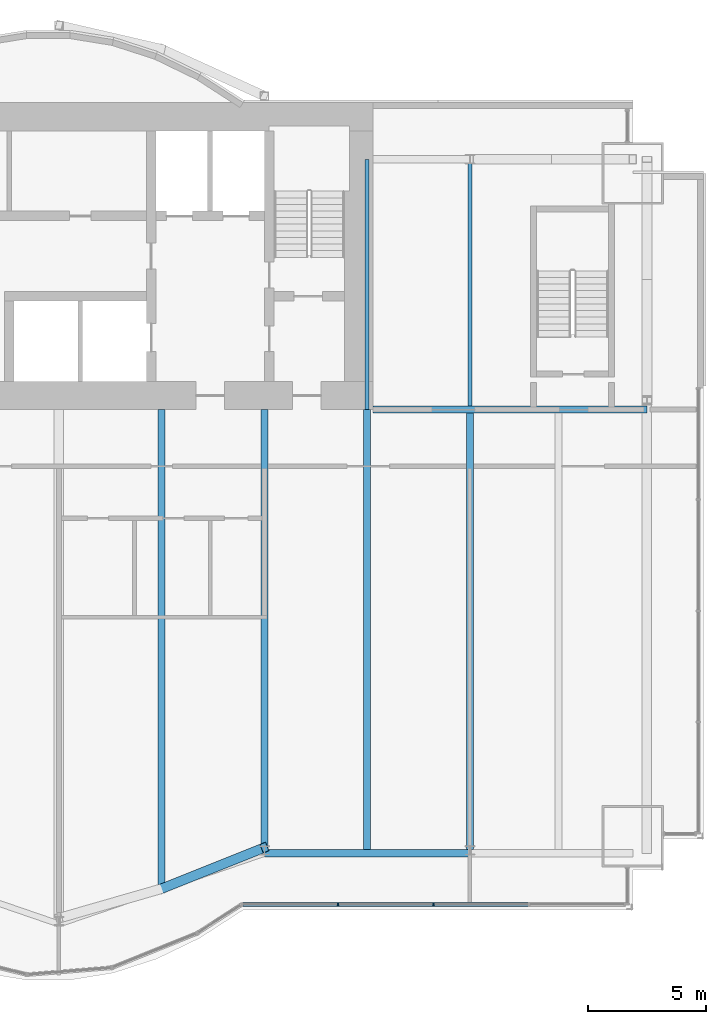
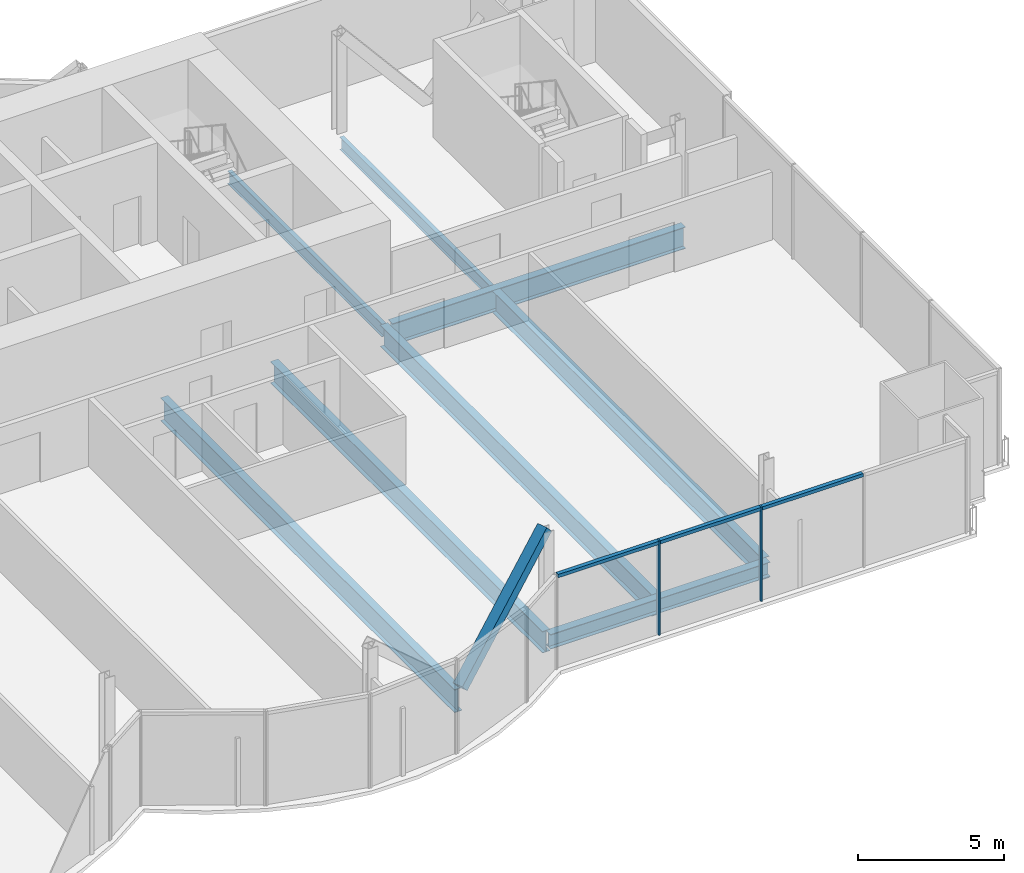
# One storey, part 9 of 21: 8 beams, 6 members, 1 element without a shape of its own.
"""IFC4 building model written with IfcOpenShell, lengths in metres."""

from ifc_helpers import new_model, si_unit, direction, frame, origin, origin_2d, place, context, subcontext, project, spatial, rectangle, hollow_rectangle, i_section, extrude, material, material_profile, profile_set, type_object, element, aggregate, save


model = new_model("IFC4")

# Units and contexts
model_context = context("Model", 3, precision=1e-05, world=origin(), true_north=direction((0.0, 1.0)))
body_context = subcontext(model_context, "Body", "Model", "MODEL_VIEW")
ifc_project = project(units=[si_unit("LENGTHUNIT", "METRE"), si_unit("AREAUNIT", "SQUARE_METRE"), si_unit("VOLUMEUNIT", "CUBIC_METRE"), si_unit("PLANEANGLEUNIT", "RADIAN"), si_unit("MASSUNIT", "GRAM", prefix="KILO")], contexts=[model_context])

# Site, building, storey
site_placement = place(None, origin())
site = spatial("IfcSite", under=ifc_project, at=site_placement, CompositionType="ELEMENT")
building_placement = place(site_placement, origin())
building = spatial("IfcBuilding", under=site, at=building_placement, Name="Bicima Exchange Tower", CompositionType="ELEMENT")
storey_placement = place(building_placement, frame((0.0, 0.0, 173.199951171875)))
storey = spatial("IfcBuildingStorey", under=building, at=storey_placement, Name="L38", CompositionType="ELEMENT", Elevation=173.199951171875)

# Beams
ifc_material_1 = material(Name="Steel ASTM A992 Gr 50", Category="steel")
ifc_material_profile_1 = material_profile(ifc_material_1, i_section(OverallWidth=0.3046875, OverallDepth=0.911865234375, WebThickness=0.015869140625, FlangeThickness=0.02392578125, at=origin_2d()))
ifc_profile_set_1 = profile_set([ifc_material_profile_1], Name="Steel ASTM A992 Gr 50")
beam_type_1 = type_object("IfcBeamType", Name="Core-line girder W36x150", PredefinedType="BEAM", material=ifc_profile_set_1)
beam_1_placement = place(storey_placement, frame((22.0, -13.0, -0.60595703125), z_axis=(1.0, 0.0, 0.0), x_axis=(0.0, 1.0, 0.0)))
element("IfcBeam", 1, at=beam_1_placement, inside=storey, type_object=beam_type_1, Name="Core-line girder", PredefinedType="BEAM", context=body_context, shape_type="SweptSolid", body=[
    extrude(i_section(OverallWidth=0.3046875, OverallDepth=0.911865234375, WebThickness=0.015869140625, FlangeThickness=0.02392578125, at=origin_2d()), origin(), (0.0, 0.0, 1.0), 11.60009765625),
])
ifc_material_profile_2 = material_profile(ifc_material_1, i_section(OverallWidth=0.165771484375, OverallDepth=0.5283203125, WebThickness=0.009765625, FlangeThickness=0.013671875, at=origin_2d()))
ifc_profile_set_2 = profile_set([ifc_material_profile_2], Name="Steel ASTM A992 Gr 50")
beam_type_2 = type_object("IfcBeamType", Name="Floor beam W21x50", PredefinedType="JOIST", material=ifc_profile_set_2)
beam_2_placement = place(storey_placement, frame((21.75, -2.39990234375, -0.4140625), z_axis=(0.0, -1.0, 0.0), x_axis=(1.0, 0.0, 0.0)))
element("IfcBeam", 2, at=beam_2_placement, inside=storey, type_object=beam_type_2, Name="Floor beam", PredefinedType="JOIST", context=body_context, shape_type="SweptSolid", body=[
    extrude(i_section(OverallWidth=0.165771484375, OverallDepth=0.5283203125, WebThickness=0.009765625, FlangeThickness=0.013671875, at=origin_2d()), origin(), (0.0, 0.0, 1.0), 10.60009765625),
])
beam_3_placement = place(storey_placement, frame((26.10009765625, -2.5625, -0.4140625), z_axis=(0.0, -1.0, 0.0), x_axis=(1.0, 0.0, 0.0)))
element("IfcBeam", 3, at=beam_3_placement, inside=storey, type_object=beam_type_2, Name="Floor beam", PredefinedType="JOIST", context=body_context, shape_type="SweptSolid", body=[
    extrude(i_section(OverallWidth=0.165771484375, OverallDepth=0.5283203125, WebThickness=0.009765625, FlangeThickness=0.013671875, at=origin_2d()), origin(), (0.0, 0.0, 1.0), 10.28515625),
])
ifc_material_profile_3 = material_profile(ifc_material_1, i_section(OverallWidth=0.3046875, OverallDepth=0.904296875, WebThickness=0.01513671875, FlangeThickness=0.02001953125, at=origin_2d()))
ifc_profile_set_3 = profile_set([ifc_material_profile_3], Name="Steel ASTM A992 Gr 50")
beam_type_3 = type_object("IfcBeamType", Name="Floor beam W36x135", PredefinedType="JOIST", material=ifc_profile_set_3)
beam_4_placement = place(storey_placement, frame((17.39990234375, -13.0, -0.60205078125), z_axis=(0.0, -1.0, 0.0), x_axis=(1.0, 0.0, 0.0)))
element("IfcBeam", 4, at=beam_4_placement, inside=storey, type_object=beam_type_3, Name="Floor beam", PredefinedType="JOIST", context=body_context, shape_type="SweptSolid", body=[
    extrude(i_section(OverallWidth=0.3046875, OverallDepth=0.904296875, WebThickness=0.01513671875, FlangeThickness=0.02001953125, at=origin_2d()), origin(), (0.0, 0.0, 1.0), 18.656494140625),
])
beam_5_placement = place(storey_placement, frame((21.75, -13.0, -0.60205078125), z_axis=(0.0, -1.0, 0.0), x_axis=(1.0, 0.0, 0.0)))
element("IfcBeam", 5, at=beam_5_placement, inside=storey, type_object=beam_type_3, Name="Floor beam", PredefinedType="JOIST", context=body_context, shape_type="SweptSolid", body=[
    extrude(i_section(OverallWidth=0.3046875, OverallDepth=0.904296875, WebThickness=0.01513671875, FlangeThickness=0.02001953125, at=origin_2d()), origin(), (0.0, 0.0, 1.0), 18.62939453125),
])
beam_6_placement = place(storey_placement, frame((26.10009765625, -13.15234375, -0.60205078125), z_axis=(0.0, -1.0, 0.0), x_axis=(1.0, 0.0, 0.0)))
element("IfcBeam", 6, at=beam_6_placement, inside=storey, type_object=beam_type_3, Name="Floor beam", PredefinedType="JOIST", context=body_context, shape_type="SweptSolid", body=[
    extrude(i_section(OverallWidth=0.3046875, OverallDepth=0.904296875, WebThickness=0.01513671875, FlangeThickness=0.02001953125, at=origin_2d()), origin(), (0.0, 0.0, 1.0), 18.47705078125),
])
ifc_material_profile_4 = material_profile(ifc_material_1, i_section(OverallWidth=0.2998046875, OverallDepth=0.97021484375, WebThickness=0.01611328125, FlangeThickness=0.02099609375, at=origin_2d()))
ifc_profile_set_4 = profile_set([ifc_material_profile_4], Name="Steel ASTM A992 Gr 50")
beam_type_4 = type_object("IfcBeamType", Name="Floor beam W40x149", PredefinedType="JOIST", material=ifc_profile_set_4)
beam_7_placement = place(storey_placement, frame((13.050048828125, -13.0, -0.635009765625), z_axis=(0.0, -1.0, 0.0), x_axis=(1.0, 0.0, 0.0)))
element("IfcBeam", 7, at=beam_7_placement, inside=storey, type_object=beam_type_4, Name="Floor beam", PredefinedType="JOIST", context=body_context, shape_type="SweptSolid", body=[
    extrude(i_section(OverallWidth=0.2998046875, OverallDepth=0.97021484375, WebThickness=0.01611328125, FlangeThickness=0.02099609375, at=origin_2d()), origin(), (0.0, 0.0, 1.0), 20.15185546875),
])
ifc_material_profile_5 = material_profile(ifc_material_1, i_section(OverallWidth=0.3251953125, OverallDepth=0.612060546875, WebThickness=0.0126953125, FlangeThickness=0.01904296875, at=origin_2d()))
ifc_profile_set_5 = profile_set([ifc_material_profile_5], Name="Steel ASTM A992 Gr 50")
beam_type_5 = type_object("IfcBeamType", Name="Front girder W24x104", PredefinedType="BEAM", material=ifc_profile_set_5)
beam_8_placement = place(storey_placement, frame((17.39990234375, -31.7919921875, -0.4560546875), z_axis=(1.0, 0.0, 0.0), x_axis=(0.0, 1.0, 0.0)))
element("IfcBeam", 8, at=beam_8_placement, inside=storey, type_object=beam_type_5, Name="Front girder", PredefinedType="BEAM", context=body_context, shape_type="SweptSolid", body=[
    extrude(i_section(OverallWidth=0.3251953125, OverallDepth=0.612060546875, WebThickness=0.0126953125, FlangeThickness=0.01904296875, at=origin_2d()), origin(), (0.0, 0.0, 1.0), 8.7001953125),
])

# Curtain wall, members
ifc_material_2 = material(Name="Anodised bronze aluminium", Category="aluminium")
curtain_wall_type = type_object("IfcCurtainWallType", Name="Front glass wall", PredefinedType="NOTDEFINED", material=ifc_material_2)
curtain_wall_placement = place(storey_placement, origin())
curtain_wall = element("IfcCurtainWall", 9, at=curtain_wall_placement, inside=storey, type_object=curtain_wall_type, Name="Front glass wall L38 run 16", PredefinedType="NOTDEFINED")
ifc_material_profile_6 = material_profile(ifc_material_2, rectangle(XDim=0.159912109375, YDim=0.06005859375, at=origin_2d()))
ifc_profile_set_6 = profile_set([ifc_material_profile_6], Name="Anodised bronze aluminium")
member_type_1 = type_object("IfcMemberType", Name="Front glass wall mullion 60 x 160", PredefinedType="MULLION", material=ifc_profile_set_6)
member_1_placement = place(storey_placement, frame((20.51171875, -33.9619140625, 0.0), z_axis=(0.0, 0.0, 1.0), x_axis=(0.0, 1.0, 0.0)))
member_1 = element("IfcMember", 10, at=member_1_placement, type_object=member_type_1, Name="Front glass wall mullion 2", PredefinedType="MULLION", context=body_context, shape_type="SweptSolid", body=[
    extrude(rectangle(XDim=0.159912109375, YDim=0.06005859375, at=origin_2d()), origin(), (0.0, 0.0, 1.0), 3.949951171875),
])
member_2_placement = place(storey_placement, frame((24.56103515625, -33.9619140625, 0.0), z_axis=(0.0, 0.0, 1.0), x_axis=(0.0, 1.0, 0.0)))
member_2 = element("IfcMember", 11, at=member_2_placement, type_object=member_type_1, Name="Front glass wall mullion 3", PredefinedType="MULLION", context=body_context, shape_type="SweptSolid", body=[
    extrude(rectangle(XDim=0.159912109375, YDim=0.06005859375, at=origin_2d()), origin(), (0.0, 0.0, 1.0), 3.949951171875),
])
ifc_material_profile_7 = material_profile(ifc_material_2, rectangle(XDim=0.159912109375, YDim=0.139892578125, at=origin_2d()))
ifc_profile_set_7 = profile_set([ifc_material_profile_7], Name="Anodised bronze aluminium")
member_type_2 = type_object("IfcMemberType", Name="Front glass wall transom 140 x 160", PredefinedType="USERDEFINED", material=ifc_profile_set_7)
member_3_placement = place(storey_placement, frame((16.4921875, -33.9619140625, 3.880126953125), z_axis=(1.0, 0.0, 0.0), x_axis=(0.0, 1.0, 0.0)))
member_3 = element("IfcMember", 12, at=member_3_placement, type_object=member_type_2, Name="Front glass wall transom 1.1", ObjectType="TRANSOM", PredefinedType="USERDEFINED", context=body_context, shape_type="SweptSolid", body=[
    extrude(rectangle(XDim=0.159912109375, YDim=0.139892578125, at=origin_2d()), origin(), (0.0, 0.0, 1.0), 3.989501953125),
])
member_4_placement = place(storey_placement, frame((20.54150390625, -33.9619140625, 3.880126953125), z_axis=(1.0, 0.0, 0.0), x_axis=(0.0, 1.0, 0.0)))
member_4 = element("IfcMember", 13, at=member_4_placement, type_object=member_type_2, Name="Front glass wall transom 2.1", ObjectType="TRANSOM", PredefinedType="USERDEFINED", context=body_context, shape_type="SweptSolid", body=[
    extrude(rectangle(XDim=0.159912109375, YDim=0.139892578125, at=origin_2d()), origin(), (0.0, 0.0, 1.0), 3.989501953125),
])
member_5_placement = place(storey_placement, frame((24.591064453125, -33.9619140625, 3.880126953125), z_axis=(1.0, 0.0, 0.0), x_axis=(0.0, 1.0, 0.0)))
member_5 = element("IfcMember", 14, at=member_5_placement, type_object=member_type_2, Name="Front glass wall transom 3.1", ObjectType="TRANSOM", PredefinedType="USERDEFINED", context=body_context, shape_type="SweptSolid", body=[
    extrude(rectangle(XDim=0.159912109375, YDim=0.139892578125, at=origin_2d()), origin(), (0.0, 0.0, 1.0), 3.989501953125),
])
aggregate(curtain_wall, [member_1, member_2, member_3, member_4, member_5])

# Member
ifc_material_3 = material(Name="Steel ASTM A572 Gr 50", Category="steel")
ifc_material_profile_8 = material_profile(ifc_material_3, hollow_rectangle(XDim=0.406494140625, YDim=0.406494140625, WallThickness=0.017822265625, at=origin_2d()))
ifc_profile_set_8 = profile_set([ifc_material_profile_8], Name="Steel ASTM A572 Gr 50")
member_type_3 = type_object("IfcMemberType", Name="Mega brace HSS16x16x3/4", PredefinedType="BRACE", material=ifc_profile_set_8)
member_6_placement = place(storey_placement, frame((13.050048828125, -33.28759765625, 0.0), z_axis=(0.69870612412, 0.279411861388, 0.658588463179), x_axis=(-0.371309808925, 0.928509033772, 0.0)))
element("IfcMember", 15, at=member_6_placement, inside=storey, type_object=member_type_3, Name="Mega brace front", PredefinedType="BRACE", context=body_context, shape_type="SweptSolid", body=[
    extrude(hollow_rectangle(XDim=0.406494140625, YDim=0.406494140625, WallThickness=0.017822265625, at=origin_2d()), origin(), (0.0, 0.0, 1.0), 6.2255859375),
])

save(model, "model.ifc")
